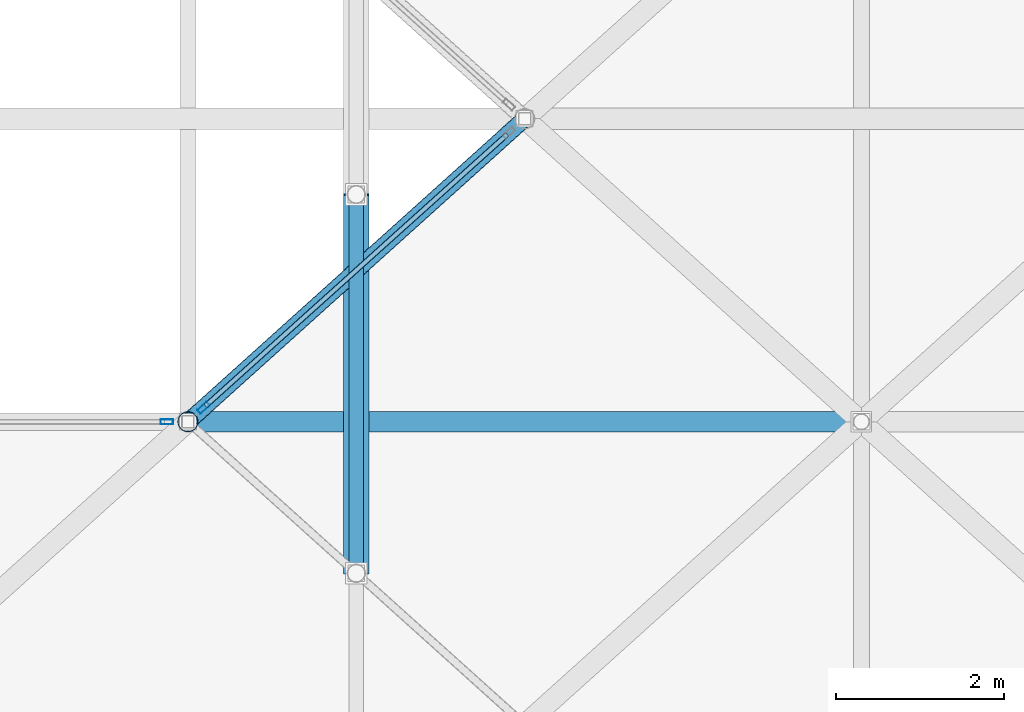
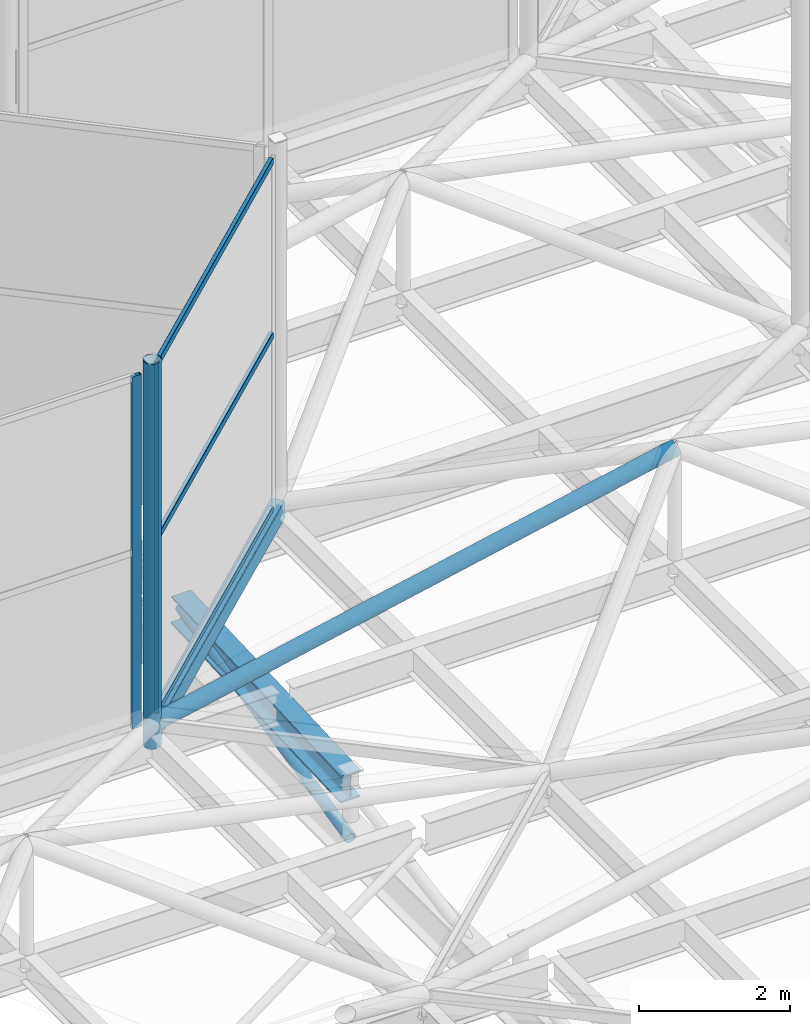
# One storey, part 19 of 239: 8 members, 2 beams, 2 elements without a shape of their own.
"""IFC4 building model written with IfcOpenShell, lengths in metres."""

import ifcopenshell
import ifcopenshell.guid

model = None  # the IFC model being written
_history = None  # IfcOwnerHistory: only IFC2X3 demands one
_inside = {}  # id of a spatial element -> (the spatial element, [elements in it])
_under = {}  # id of a project, library or spatial element -> (it, [spatial elements below it])
_declared = {}  # id of a project -> (the project, [libraries it declares])
_typed = {}  # id of a type object -> (the type object, [elements of that type])
_made_of = {}  # id of a material, layer set ... -> (it, [elements and type objects made of it])


def new_model(schema):
    """Start an empty IFC model of exactly this schema.

    Asked for "IFC4X3", IfcOpenShell would pick the latest addendum, in which some entities
    have other attributes; the version numbers below select the first issue.
    IFC2X3 requires an IfcOwnerHistory on every rooted entity: one is made here for all.
    """
    global model, _history
    if schema == "IFC4X3":
        model = ifcopenshell.file(schema_version=(4, 3, 0, 0))
    else:
        model = ifcopenshell.file(schema=schema)
    _inside.clear()
    _under.clear()
    _declared.clear()
    _typed.clear()
    _made_of.clear()
    _history = None
    if model.schema == "IFC2X3":
        org = make("IfcOrganization", Name="unknown")
        user = make(
            "IfcPersonAndOrganization",
            ThePerson=make("IfcPerson", FamilyName="unknown"),
            TheOrganization=org,
        )
        app = make(
            "IfcApplication",
            ApplicationDeveloper=org,
            Version="unknown",
            ApplicationFullName="unknown",
            ApplicationIdentifier="unknown",
        )
        _history = make(
            "IfcOwnerHistory",
            OwningUser=user,
            OwningApplication=app,
            ChangeAction="ADDED",
            CreationDate=0,
        )
    return model


def make(cls, **values):
    """One entity of the class cls with the attributes given. An attribute that is None is left unset."""
    return model.create_entity(
        cls, **{name: value for name, value in values.items() if value is not None}
    )


def rooted(cls, **values):
    """An entity with a GlobalId (a new one), such as an element, a storey or a relation."""
    return make(cls, GlobalId=ifcopenshell.guid.new(), OwnerHistory=_history, **values)


def si_unit(unit_type, name, prefix=None):
    """IfcSIUnit, for example si_unit("LENGTHUNIT", "METRE", prefix="MILLI")."""
    return make("IfcSIUnit", UnitType=unit_type, Prefix=prefix, Name=name)


def assignment(units):
    """IfcUnitAssignment: the units of a project."""
    return None if units is None else make("IfcUnitAssignment", Units=units)


def point(xyz):
    """IfcCartesianPoint."""
    return None if xyz is None else make("IfcCartesianPoint", Coordinates=xyz)


def direction(xyz):
    """IfcDirection."""
    return None if xyz is None else make("IfcDirection", DirectionRatios=xyz)


def frame(location, z_axis=None, x_axis=None):
    """IfcAxis2Placement3D, a coordinate frame: its origin and axes. An axis left out is left unset."""
    return make(
        "IfcAxis2Placement3D",
        Location=point(location),
        Axis=direction(z_axis),
        RefDirection=direction(x_axis),
    )


def frame_2d(location, x_axis=None):
    """IfcAxis2Placement2D, a coordinate frame in the plane: its origin and x axis."""
    return make(
        "IfcAxis2Placement2D", Location=point(location), RefDirection=direction(x_axis)
    )


def origin():
    """The frame at (0, 0, 0) with its axes left unset."""
    return frame((0.0, 0.0, 0.0))


def origin_2d():
    """The frame at (0, 0) in the plane with its x axis left unset."""
    return frame_2d((0.0, 0.0))


def place(relative_to, where):
    """IfcLocalPlacement: puts the frame where relative to a parent placement (None: the world)."""
    return make(
        "IfcLocalPlacement", PlacementRelTo=relative_to, RelativePlacement=where
    )


def context(
    kind, dimensions, precision=None, world=None, true_north=None, identifier=None
):
    """IfcGeometricRepresentationContext, for example the 3D "Model" context."""
    return make(
        "IfcGeometricRepresentationContext",
        ContextIdentifier=identifier,
        ContextType=kind,
        CoordinateSpaceDimension=dimensions,
        Precision=precision,
        WorldCoordinateSystem=world,
        TrueNorth=true_north,
    )


def subcontext(parent, identifier, kind, view, scale=None):
    """IfcGeometricRepresentationSubContext, for example "Body" below "Model"."""
    return make(
        "IfcGeometricRepresentationSubContext",
        ContextIdentifier=identifier,
        ContextType=kind,
        ParentContext=parent,
        TargetScale=scale,
        TargetView=view,
    )


def project(units=None, contexts=None):
    """IfcProject with its units and contexts."""
    return rooted(
        "IfcProject",
        Name="project",
        RepresentationContexts=contexts,
        UnitsInContext=assignment(units),
    )


def spatial(cls, under=None, at=None, **own):
    """A site, building, storey or space (cls), placed at a placement, below another one or the project."""
    s = rooted(cls, ObjectPlacement=at, **own)
    if under is not None:
        _under.setdefault(under.id(), (under, []))[1].append(s)
    return s


def profile(cls, at=None, kind="AREA", **sizes):
    """A parametric profile (cls). Its sizes go by their IFC names, for example OverallWidth=200.0."""
    return make(cls, ProfileType=kind, Position=at, **sizes)


def hollow_rectangle(**sizes):
    """IfcRectangleHollowProfileDef."""
    return profile("IfcRectangleHollowProfileDef", **sizes)


def hollow_circle(**sizes):
    """IfcCircleHollowProfileDef."""
    return profile("IfcCircleHollowProfileDef", **sizes)


def i_section(**sizes):
    """IfcIShapeProfileDef."""
    return profile("IfcIShapeProfileDef", **sizes)


def extrude(swept, where, along, depth):
    """IfcExtrudedAreaSolid: the profile swept, set in the frame where, extruded along a direction by depth."""
    return make(
        "IfcExtrudedAreaSolid",
        SweptArea=swept,
        Position=where,
        ExtrudedDirection=direction(along),
        Depth=depth,
    )


def shape(context_of_items, identifier, shape_type, items):
    """IfcShapeRepresentation: the items that make up one representation, for example the "Body"."""
    return make(
        "IfcShapeRepresentation",
        ContextOfItems=context_of_items,
        RepresentationIdentifier=identifier,
        RepresentationType=shape_type,
        Items=items,
    )


def material(Name=None, Category=None):
    """IfcMaterial."""
    return make("IfcMaterial", Name=Name, Category=Category)


def layer(
    of_material, thickness, ventilated=None, Name=None, Category=None, Priority=None
):
    """IfcMaterialLayer: one layer of a wall or slab, of a material (None: an air gap)."""
    return make(
        "IfcMaterialLayer",
        Material=of_material,
        LayerThickness=thickness,
        IsVentilated=ventilated,
        Name=Name,
        Category=Category,
        Priority=Priority,
    )


def layer_set(layers, Name=None):
    """IfcMaterialLayerSet."""
    return make("IfcMaterialLayerSet", MaterialLayers=layers, LayerSetName=Name)


def material_profile(
    of_material, cross_section, Name=None, Category=None, Priority=None
):
    """IfcMaterialProfile: a cross section and its material."""
    return make(
        "IfcMaterialProfile",
        Name=Name,
        Material=of_material,
        Profile=cross_section,
        Priority=Priority,
        Category=Category,
    )


def profile_set(profiles, Name=None, composite=None):
    """IfcMaterialProfileSet."""
    return make(
        "IfcMaterialProfileSet",
        Name=Name,
        MaterialProfiles=profiles,
        CompositeProfile=composite,
    )


def made_of(thing, what):
    """Note that an element or type object is made of a material, layer set ...; save() writes the relation."""
    if what is not None:
        _made_of.setdefault(what.id(), (what, []))[1].append(thing)
    return thing


def type_object(cls, material=None, **own):
    """A type object (cls), such as IfcWallType, which elements share."""
    return made_of(rooted(cls, **own), material)


def element(
    cls,
    number,
    at=None,
    inside=None,
    cuts=None,
    type_object=None,
    material=None,
    context=None,
    identifier="Body",
    shape_type=None,
    held_by="IfcProductDefinitionShape",
    body=None,
    shapes=None,
    **own,
):
    """One element of the class cls, such as IfcWall. Its Tag is "e" and its number.

    at: its placement. inside: the storey or other place that contains it. cuts: it is an
    opening in that element (IfcRelVoidsElement). A single representation is given by context,
    identifier, shape_type and body (its items); several are given by shapes. held_by: the class
    of the entity that holds the representations. save() writes the other relations.
    """
    e = rooted(cls, Tag="e%d" % number, ObjectPlacement=at, **own)
    if body is not None:
        shapes = [shape(context, identifier, shape_type, body)]
    if shapes is not None:
        e.Representation = make(held_by, Representations=shapes)
    if inside is not None:
        _inside.setdefault(inside.id(), (inside, []))[1].append(e)
    if cuts is not None:
        rooted(
            "IfcRelVoidsElement", RelatingBuildingElement=cuts, RelatedOpeningElement=e
        )
    if type_object is not None:
        _typed.setdefault(type_object.id(), (type_object, []))[1].append(e)
    return made_of(e, material)


def aggregate(whole, parts):
    """IfcRelAggregates: a whole, such as a stair, and the parts it consists of."""
    return rooted("IfcRelAggregates", RelatingObject=whole, RelatedObjects=parts)


def save(model, path):
    """Write the relations noted so far, then the file.

    IfcRelAggregates (storeys below a building ...), IfcRelContainedInSpatialStructure (elements
    in a storey), IfcRelDefinesByType, IfcRelAssociatesMaterial and IfcRelDeclares: one each for
    every whole, place, type object, material and project.
    """
    for whole, parts in _under.values():
        aggregate(whole, parts)
    for where, things in _inside.values():
        rooted(
            "IfcRelContainedInSpatialStructure",
            RelatedElements=things,
            RelatingStructure=where,
        )
    for kind, things in _typed.values():
        rooted("IfcRelDefinesByType", RelatedObjects=things, RelatingType=kind)
    for what, things in _made_of.values():
        rooted("IfcRelAssociatesMaterial", RelatedObjects=things, RelatingMaterial=what)
    for by, libraries in _declared.values():
        rooted("IfcRelDeclares", RelatingContext=by, RelatedDefinitions=libraries)
    model.write(path)


model = new_model("IFC4")

# Units and contexts
model_context = context("Model", 3, precision=1e-05, world=origin(), true_north=direction((0.0, 1.0)))
body_context = subcontext(model_context, "Body", "Model", "MODEL_VIEW")
ifc_project = project(units=[si_unit("LENGTHUNIT", "METRE"), si_unit("AREAUNIT", "SQUARE_METRE"), si_unit("VOLUMEUNIT", "CUBIC_METRE"), si_unit("PLANEANGLEUNIT", "RADIAN"), si_unit("MASSUNIT", "GRAM", prefix="KILO")], contexts=[model_context])

# Site, building, storey
site_placement = place(None, origin())
site = spatial("IfcSite", under=ifc_project, at=site_placement, CompositionType="ELEMENT")
building_placement = place(site_placement, origin())
building = spatial("IfcBuilding", under=site, at=building_placement, Name="Dunvalen Ferry Terminal", CompositionType="ELEMENT")
storey_placement = place(building_placement, frame((0.0, 0.0, 9.840087890625)))
storey = spatial("IfcBuildingStorey", under=building, at=storey_placement, Name="L02", CompositionType="ELEMENT", Elevation=9.840087890625)

# Curtain wall, member
ifc_material_1 = material(Name="Anodised marine aluminium and solar-control glazing", Category="aluminium")
ifc_layer_1 = layer(ifc_material_1, 0.179931640625, Name="Anodised marine aluminium and solar-control glazing")
ifc_layer_set_1 = layer_set([ifc_layer_1], Name="Anodised marine aluminium and solar-control glazing")
curtain_wall_type_1 = type_object("IfcCurtainWallType", Name="ENV-CW-SYS-06", PredefinedType="NOTDEFINED", material=ifc_layer_set_1)
curtain_wall_1_placement = place(storey_placement, origin())
curtain_wall_1 = element("IfcCurtainWall", 1, at=curtain_wall_1_placement, inside=storey, type_object=curtain_wall_type_1, Name="L02 Curtain Wall CW-HEX-14-SK-2", PredefinedType="NOTDEFINED")
ifc_material_2 = material(Name="Anodised marine aluminium EN AW-6063 T6", Category="aluminium")
ifc_material_profile_1 = material_profile(ifc_material_2, hollow_rectangle(XDim=0.06005859375, YDim=0.14990234375, WallThickness=0.00341796875, InnerFilletRadius=0.00341796875, OuterFilletRadius=0.007080078125, at=origin_2d()), Name="Anodised marine aluminium EN AW-6063 T6")
ifc_profile_set_1 = profile_set([ifc_material_profile_1], Name="Anodised marine aluminium EN AW-6063 T6")
member_type_1 = type_object("IfcMemberType", Name="ENV-CW-MUL-3", PredefinedType="MULLION", material=ifc_profile_set_1)
member_1_placement = place(storey_placement, frame((33.75, 61.199951171875, 1.139892578125), z_axis=(0.0, 0.0, 1.0), x_axis=(0.0, 1.0, 0.0)))
member_1 = element("IfcMember", 2, at=member_1_placement, type_object=member_type_1, Name="CW-06 mullion 3", PredefinedType="MULLION", context=body_context, shape_type="SweptSolid", body=[
    extrude(hollow_rectangle(XDim=0.06005859375, YDim=0.14990234375, WallThickness=0.00341796875, InnerFilletRadius=0.00341796875, OuterFilletRadius=0.007080078125, at=origin_2d()), origin(), (0.0, 0.0, 1.0), 5.699951171875),
])
aggregate(curtain_wall_1, [member_1])

# Curtain wall, members
ifc_layer_2 = layer(ifc_material_1, 0.179931640625, Name="Anodised marine aluminium and solar-control glazing")
ifc_layer_set_2 = layer_set([ifc_layer_2], Name="Anodised marine aluminium and solar-control glazing")
curtain_wall_type_2 = type_object("IfcCurtainWallType", Name="ENV-CW-SYS-05", PredefinedType="NOTDEFINED", material=ifc_layer_set_2)
curtain_wall_2_placement = place(storey_placement, origin())
curtain_wall_2 = element("IfcCurtainWall", 3, at=curtain_wall_2_placement, inside=storey, type_object=curtain_wall_type_2, Name="L02 Curtain Wall CW-HEX-14-SK-3", PredefinedType="NOTDEFINED")
member_2_placement = place(storey_placement, frame((34.185791015625, 61.3671875, 1.139892578125), z_axis=(0.0, 0.0, 1.0), x_axis=(-0.668953550894, 0.74330420875, 0.0)))
member_2 = element("IfcMember", 4, at=member_2_placement, type_object=member_type_1, Name="CW-05 mullion 1", PredefinedType="MULLION", context=body_context, shape_type="SweptSolid", body=[
    extrude(hollow_rectangle(XDim=0.06005859375, YDim=0.14990234375, WallThickness=0.00341796875, InnerFilletRadius=0.00341796875, OuterFilletRadius=0.007080078125, at=origin_2d()), origin(), (0.0, 0.0, 1.0), 5.699951171875),
])
ifc_material_profile_2 = material_profile(ifc_material_2, hollow_rectangle(XDim=0.06005859375, YDim=0.114990234375, WallThickness=0.0029296875, InnerFilletRadius=0.0029296875, OuterFilletRadius=0.006103515625, at=origin_2d()), Name="Anodised marine aluminium EN AW-6063 T6")
ifc_profile_set_2 = profile_set([ifc_material_profile_2], Name="Anodised marine aluminium EN AW-6063 T6")
member_type_2 = type_object("IfcMemberType", Name="ENV-CW-TRN-3", PredefinedType="USERDEFINED", material=ifc_profile_set_2)
member_3_placement = place(storey_placement, frame((34.2080078125, 61.387451171875, 1.169921875), z_axis=(0.743344500928, 0.668908777742, 0.0), x_axis=(-0.668908777742, 0.743344500928, 0.0)))
member_3 = element("IfcMember", 5, at=member_3_placement, type_object=member_type_2, Name="CW-05 transom 1.1", ObjectType="TRANSOM", PredefinedType="USERDEFINED", context=body_context, shape_type="SweptSolid", body=[
    extrude(hollow_rectangle(XDim=0.06005859375, YDim=0.114990234375, WallThickness=0.0029296875, InnerFilletRadius=0.0029296875, OuterFilletRadius=0.006103515625, at=origin_2d()), origin(), (0.0, 0.0, 1.0), 4.821533203125),
])
member_4_placement = place(storey_placement, frame((34.2080078125, 61.387451171875, 3.989990234375), z_axis=(0.743344500928, 0.668908777742, 0.0), x_axis=(-0.668908777742, 0.743344500928, 0.0)))
member_4 = element("IfcMember", 6, at=member_4_placement, type_object=member_type_2, Name="CW-05 transom 1.2", ObjectType="TRANSOM", PredefinedType="USERDEFINED", context=body_context, shape_type="SweptSolid", body=[
    extrude(hollow_rectangle(XDim=0.06005859375, YDim=0.114990234375, WallThickness=0.0029296875, InnerFilletRadius=0.0029296875, OuterFilletRadius=0.006103515625, at=origin_2d()), origin(), (0.0, 0.0, 1.0), 4.821533203125),
])
member_5_placement = place(storey_placement, frame((34.2080078125, 61.387451171875, 6.809814453125), z_axis=(0.743344500928, 0.668908777742, 0.0), x_axis=(-0.668908777742, 0.743344500928, 0.0)))
member_5 = element("IfcMember", 7, at=member_5_placement, type_object=member_type_2, Name="CW-05 transom 1.3", ObjectType="TRANSOM", PredefinedType="USERDEFINED", context=body_context, shape_type="SweptSolid", body=[
    extrude(hollow_rectangle(XDim=0.06005859375, YDim=0.114990234375, WallThickness=0.0029296875, InnerFilletRadius=0.0029296875, OuterFilletRadius=0.006103515625, at=origin_2d()), origin(), (0.0, 0.0, 1.0), 4.821533203125),
])
aggregate(curtain_wall_2, [member_2, member_3, member_4, member_5])

# Beams
ifc_material_3 = material(Name="Steel S355", Category="steel")
ifc_material_profile_3 = material_profile(ifc_material_3, i_section(OverallWidth=0.300048828125, OverallDepth=0.449951171875, WebThickness=0.013916015625, FlangeThickness=0.02587890625, FilletRadius=0.027099609375, at=origin_2d()), Name="Steel S355")
ifc_profile_set_3 = profile_set([ifc_material_profile_3], Name="Steel S355")
beam_type_1 = type_object("IfcBeamType", Name="STR-BM-HEB450", PredefinedType="BEAM", material=ifc_profile_set_3)
beam_1_placement = place(storey_placement, frame((36.0, 59.39990234375, 0.474853515625), z_axis=(0.0, 0.999166564808, 0.040818816368), x_axis=(-1.0, 0.0, 0.0)))
element("IfcBeam", 8, at=beam_1_placement, inside=storey, type_object=beam_type_1, Name="Departure Hall Tied-Arch Rib 03.3", PredefinedType="BEAM", context=body_context, shape_type="SweptSolid", body=[
    extrude(i_section(OverallWidth=0.300048828125, OverallDepth=0.449951171875, WebThickness=0.013916015625, FlangeThickness=0.02587890625, FilletRadius=0.027099609375, at=origin_2d()), origin(), (0.0, 0.0, 1.0), 4.503662109375),
])
ifc_material_profile_4 = material_profile(ifc_material_3, hollow_rectangle(XDim=0.199951171875, YDim=0.300048828125, WallThickness=0.010009765625, InnerFilletRadius=0.010009765625, OuterFilletRadius=0.02001953125, at=origin_2d()), Name="Steel S355")
ifc_profile_set_4 = profile_set([ifc_material_profile_4], Name="Steel S355")
beam_type_2 = type_object("IfcBeamType", Name="STR-BM-RHS300", PredefinedType="BEAM", material=ifc_profile_set_4)
beam_2_placement = place(storey_placement, frame((34.0, 61.199951171875, 1.0), z_axis=(0.743285123004, 0.668974757313, 0.0), x_axis=(-0.668974757313, 0.743285123004, 0.0)))
element("IfcBeam", 9, at=beam_2_placement, inside=storey, type_object=beam_type_2, Name="HEX-14 Lantern Curb Ring Beam 3", PredefinedType="BEAM", context=body_context, shape_type="SweptSolid", body=[
    extrude(hollow_rectangle(XDim=0.199951171875, YDim=0.300048828125, WallThickness=0.010009765625, InnerFilletRadius=0.010009765625, OuterFilletRadius=0.02001953125, at=origin_2d()), origin(), (0.0, 0.0, 1.0), 5.381591796875),
])

# Members
ifc_material_profile_5 = material_profile(ifc_material_3, hollow_circle(Radius=0.084228515625, WallThickness=0.008056640625, at=origin_2d()), Name="Steel S355")
ifc_profile_set_5 = profile_set([ifc_material_profile_5], Name="Steel S355")
member_type_3 = type_object("IfcMemberType", Name="STR-MB-CHS168", PredefinedType="BRACE", material=ifc_profile_set_5)
member_6_placement = place(storey_placement, frame((36.0, 59.39990234375, -0.360107421875), z_axis=(0.0, 0.975316524259, 0.220811407104), x_axis=(-1.0, 0.0, 0.0)))
element("IfcMember", 10, at=member_6_placement, inside=storey, type_object=member_type_3, Name="Departure Hall Arch Web Diagonal 03.3", PredefinedType="BRACE", context=body_context, shape_type="SweptSolid", body=[
    extrude(hollow_circle(Radius=0.084228515625, WallThickness=0.008056640625, at=origin_2d()), origin(), (0.0, 0.0, 1.0), 4.61376953125),
])
ifc_material_profile_6 = material_profile(ifc_material_3, hollow_circle(Radius=0.122314453125, WallThickness=0.010009765625, at=origin_2d()), Name="Steel S355")
ifc_profile_set_6 = profile_set([ifc_material_profile_6], Name="Steel S355")
member_type_4 = type_object("IfcMemberType", Name="STR-MB-CHS244", PredefinedType="STRUT", material=ifc_profile_set_6)
member_7_placement = place(storey_placement, frame((34.0, 61.199951171875, 0.77001953125), z_axis=(0.0, 0.0, 1.0), x_axis=(1.0, 0.0, 0.0)))
element("IfcMember", 11, at=member_7_placement, inside=storey, type_object=member_type_4, Name="HEX-14 Skylight Lantern Corner Strut 3", PredefinedType="STRUT", context=body_context, shape_type="SweptSolid", body=[
    extrude(hollow_circle(Radius=0.122314453125, WallThickness=0.010009765625, at=origin_2d()), origin(), (0.0, 0.0, 1.0), 6.22998046875),
])
member_8_placement = place(storey_placement, frame((34.0, 61.199951171875, 1.099853515625), z_axis=(0.979020171275, 0.0, 0.203763353518), x_axis=(0.0, 1.0, 0.0)))
element("IfcMember", 12, at=member_8_placement, inside=storey, type_object=member_type_4, Name="HEX-19 Pyramid Hip Rafter 1", PredefinedType="STRUT", context=body_context, shape_type="SweptSolid", body=[
    extrude(hollow_circle(Radius=0.122314453125, WallThickness=0.010009765625, at=origin_2d()), origin(), (0.0, 0.0, 1.0), 8.17138671875),
])

save(model, "model.ifc")
